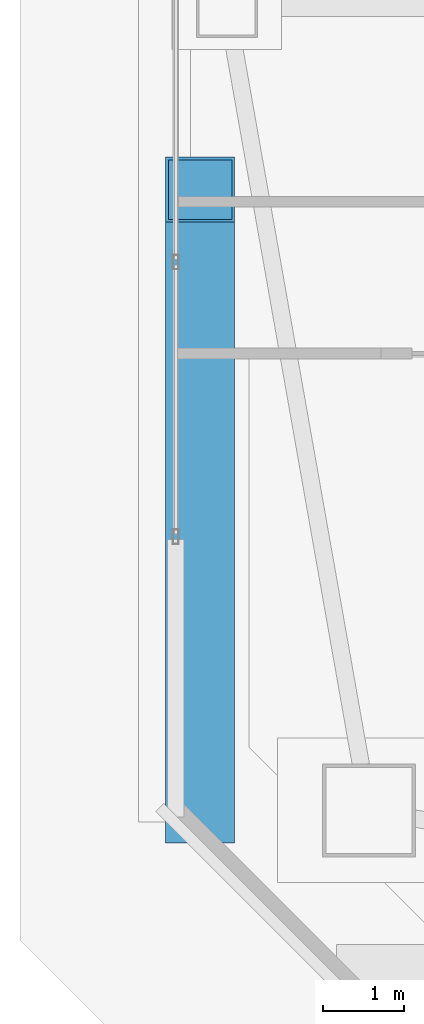
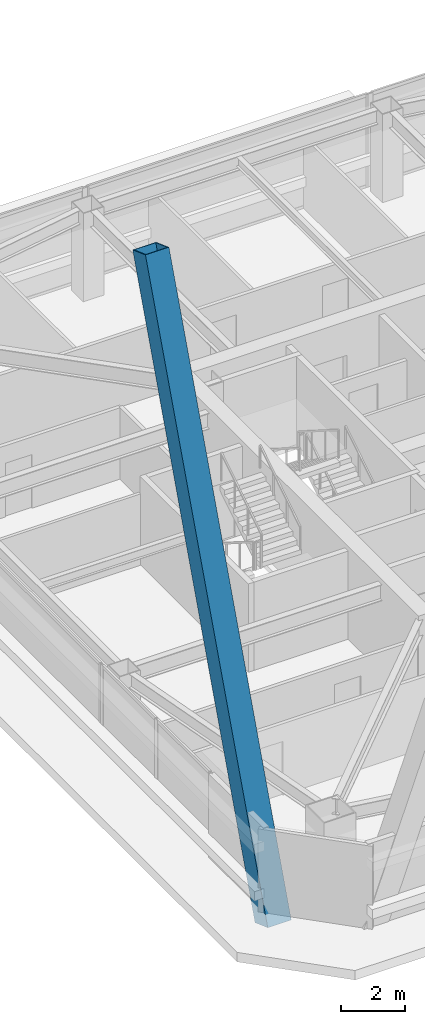
# One storey, part 6 of 65: 1 member.
"""IFC4 building model written with IfcOpenShell, lengths in metres."""

from ifc_helpers import new_model, si_unit, direction, frame, origin, origin_2d, place, context, subcontext, project, spatial, hollow_rectangle, extrude, material, material_profile, profile_set, type_object, element, save


model = new_model("IFC4")

# Units and contexts
model_context = context("Model", 3, precision=1e-05, world=origin(), true_north=direction((0.0, 1.0)))
body_context = subcontext(model_context, "Body", "Model", "MODEL_VIEW")
ifc_project = project(units=[si_unit("LENGTHUNIT", "METRE"), si_unit("AREAUNIT", "SQUARE_METRE"), si_unit("VOLUMEUNIT", "CUBIC_METRE"), si_unit("PLANEANGLEUNIT", "RADIAN"), si_unit("MASSUNIT", "GRAM", prefix="KILO")], contexts=[model_context])

# Site, building, storey
site_placement = place(None, origin())
site = spatial("IfcSite", under=ifc_project, at=site_placement, CompositionType="ELEMENT")
building_placement = place(site_placement, origin())
building = spatial("IfcBuilding", under=site, at=building_placement, Name="Tashvorn Skyway Center", CompositionType="ELEMENT")
storey_placement = place(building_placement, frame((0.0, 0.0, 157.0)))
storey = spatial("IfcBuildingStorey", under=building, at=storey_placement, Name="L42", CompositionType="ELEMENT", Elevation=157.0)

# Member
ifc_material = material(Name="Steel ASTM A572 Grade 50", Category="steel")
ifc_material_profile = material_profile(ifc_material, hollow_rectangle(XDim=0.85009765625, YDim=0.85009765625, WallThickness=0.034912109375, at=origin_2d()), Name="BOX850x850x35")
ifc_profile_set = profile_set([ifc_material_profile], Name="Steel ASTM A572 Grade 50")
member_type = type_object("IfcMemberType", Name="MEM-MB-850", PredefinedType="BRACE", material=ifc_profile_set)
member_placement = place(storey_placement, frame((24.6201171875, 16.699951171875, -0.199951171875), z_axis=(0.0, 0.341568887038, 0.93985674196), x_axis=(-1.0, 0.0, 0.0)))
element("IfcMember", 1, at=member_placement, inside=storey, type_object=member_type, Name="Tower 1 Zone 4 W Chevron Mega-Brace R1", PredefinedType="BRACE", context=body_context, shape_type="SweptSolid", body=[
    extrude(hollow_rectangle(XDim=0.85009765625, YDim=0.85009765625, WallThickness=0.034912109375, at=origin_2d()), origin(), (0.0, 0.0, 1.0), 22.39697265625),
])

save(model, "model.ifc")
